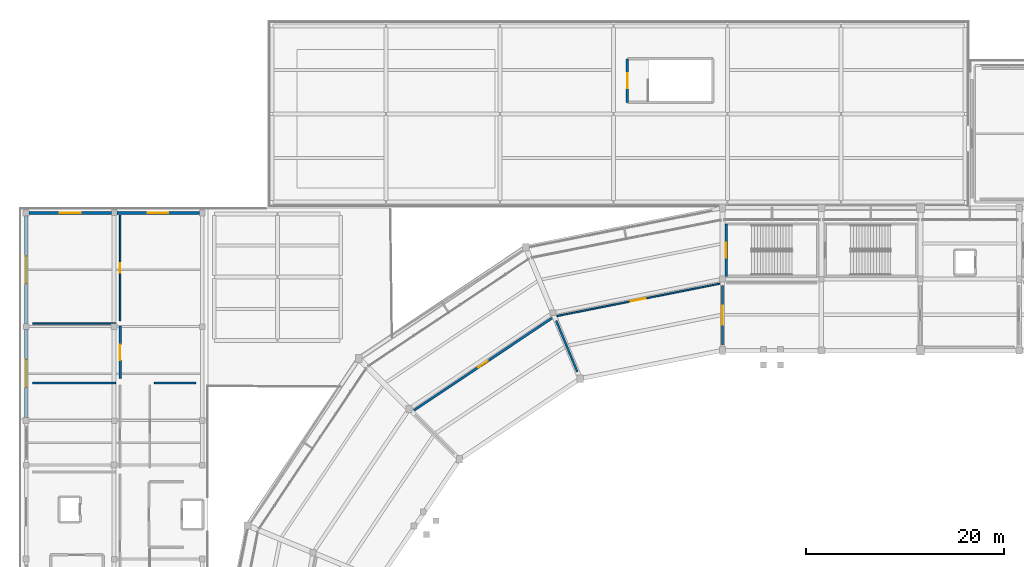
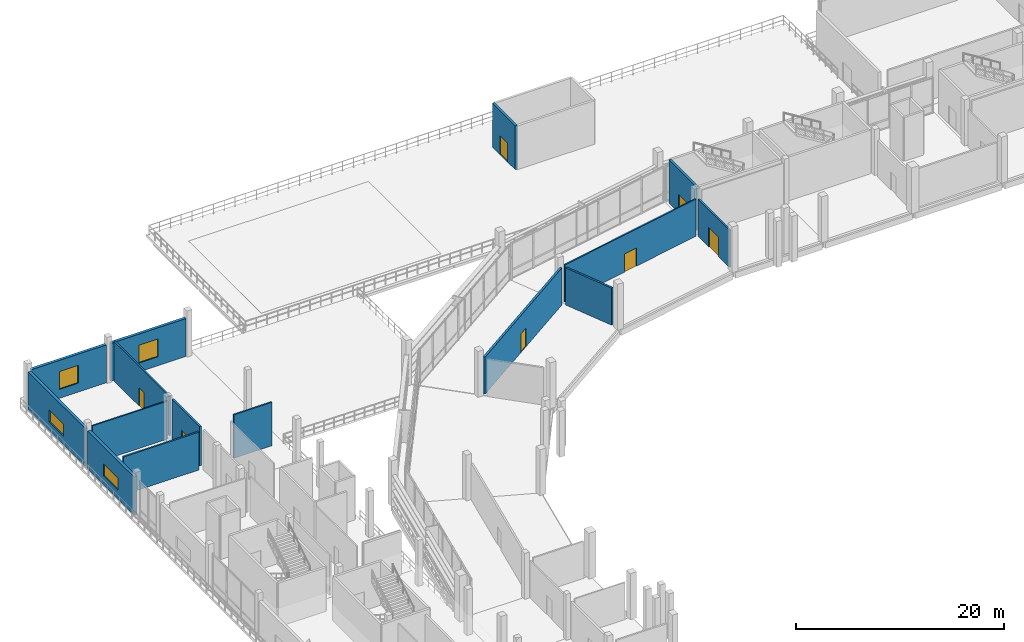
# One storey, part 78 of 111: 15 walls, 7 doors, 4 windows, 11 openings.
"""IFC4 building model written with IfcOpenShell, lengths in metres."""

from ifc_helpers import new_model, si_unit, direction, frame, frame_2d, origin, place, context, subcontext, project, spatial, rectangle, extrude, material, layer, layer_set, type_object, element, fill, save


model = new_model("IFC4")

# Units and contexts
model_context = context("Model", 3, precision=1e-05, world=origin(), true_north=direction((0.0, 1.0)))
body_context = subcontext(model_context, "Body", "Model", "MODEL_VIEW")
ifc_project = project(units=[si_unit("LENGTHUNIT", "METRE"), si_unit("AREAUNIT", "SQUARE_METRE"), si_unit("VOLUMEUNIT", "CUBIC_METRE"), si_unit("PLANEANGLEUNIT", "RADIAN"), si_unit("MASSUNIT", "GRAM", prefix="KILO")], contexts=[model_context])

# Site, building, storey
site_placement = place(None, origin())
site = spatial("IfcSite", under=ifc_project, at=site_placement, CompositionType="ELEMENT")
building_placement = place(site_placement, origin())
building = spatial("IfcBuilding", under=site, at=building_placement, Name="Candeia Ridge Stadium", CompositionType="ELEMENT")
storey_placement = place(building_placement, frame((0.0, 0.0, 16.199951171875)))
storey = spatial("IfcBuildingStorey", under=building, at=storey_placement, Name="L03", CompositionType="ELEMENT", Elevation=16.199951171875)

# Wall
ifc_material_1 = material(Name="Concrete Masonry Blockwork C25/30", Category="masonry")
ifc_layer_1 = layer(ifc_material_1, 0.14990234375, Name="Concrete Masonry Blockwork C25/30", Category="masonry")
ifc_layer_set_1 = layer_set([ifc_layer_1], Name="Concrete Masonry Blockwork C25/30")
wall_type_1 = type_object("IfcWallType", Name="Concourse Kiosk Partition 150", PredefinedType="PARTITIONING", material=ifc_layer_set_1)
wall_1_placement = place(storey_placement, frame((1.25, 135.300048828125, 0.0), z_axis=(0.0, 0.0, 1.0), x_axis=(1.0, 0.0, 0.0)))
element("IfcWall", 1, at=wall_1_placement, inside=storey, type_object=wall_type_1, Name="Demising partition PT-L03-0531", PredefinedType="PARTITIONING", context=body_context, shape_type="SweptSolid", body=[
    extrude(rectangle(XDim=8.39990234375, YDim=0.14990234375, at=frame_2d((4.199951171875, 0.0))), origin(), (0.0, 0.0, 1.0), 4.465087890625),
])

# Wall, opening, door
wall_2_placement = place(storey_placement, frame((54.254150390625, 136.069091796875, 0.0), z_axis=(0.0, 0.0, 1.0), x_axis=(0.980786027867, 0.195086564225, 0.0)))
wall_2 = element("IfcWall", 2, at=wall_2_placement, inside=storey, type_object=wall_type_1, Name="Interior partition PT-L03-0575", PredefinedType="PARTITIONING", context=body_context, shape_type="SweptSolid", body=[
    extrude(rectangle(XDim=16.783203125, YDim=0.14990234375, at=frame_2d((8.3916015625, 0.0))), origin(), (0.0, 0.0, 1.0), 4.375),
])
opening_1_placement = place(wall_2_placement, frame((7.61669921875, 0.0, 0.0)))
opening_1 = element("IfcOpeningElement", 3, at=opening_1_placement, cuts=wall_2, Name="Opening ID14", PredefinedType="OPENING", context=body_context, shape_type="SweptSolid", body=[
    extrude(rectangle(XDim=1.550048828125, YDim=2.14990234375, at=frame_2d((0.77490234375, 1.074951171875))), frame((0.0, 0.0849609375, 0.0), z_axis=(0.0, -1.0, 0.0), x_axis=(1.0, 0.0, 0.0)), (0.0, 0.0, 1.0), 0.169921875),
])
ifc_material_2 = material(Name="Brushed Stainless Steel", Category="steel")
door_type_1 = type_object("IfcDoorType", Name="Catering Kitchen Double Door 1550x2150", OperationType="NOTDEFINED", PredefinedType="DOOR", material=ifc_material_2)
door_1_placement = place(opening_1_placement, origin())
door_1 = element("IfcDoor", 4, at=door_1_placement, inside=storey, type_object=door_type_1, Name="Interior room door D-L03-0296", OperationType="DOUBLE_DOOR_SINGLE_SWING", OverallHeight=2.14990234375, OverallWidth=1.550048828125, PredefinedType="DOOR", context=body_context, shape_type="SweptSolid", body=[
    extrude(rectangle(XDim=1.550048828125, YDim=2.14990234375, at=frame_2d((0.77490234375, 1.074951171875))), frame((0.0, 0.02490234375, 0.0), z_axis=(0.0, -1.0, 0.0), x_axis=(1.0, 0.0, 0.0)), (0.0, 0.0, 1.0), 0.050048828125),
])
fill(opening_1, door_1)

ifc_material_3 = material(Name="Concrete C40/50", Category="concrete")
ifc_layer_2 = layer(ifc_material_3, 0.25, Name="Concrete C40/50", Category="concrete")
ifc_layer_set_2 = layer_set([ifc_layer_2], Name="Concrete C40/50")
wall_type_2 = type_object("IfcWallType", Name="Core Shear Wall Concrete 250", PredefinedType="SHEAR", material=ifc_layer_set_2)
wall_3_placement = place(storey_placement, frame((71.37548828125, 145.37451171875, 0.0), z_axis=(0.0, 0.0, 1.0), x_axis=(0.0, -1.0, 0.0)))
wall_3 = element("IfcWall", 5, at=wall_3_placement, inside=storey, type_object=wall_type_2, Name="Core C01 near shear wall L03", PredefinedType="SHEAR", context=body_context, shape_type="SweptSolid", body=[
    extrude(rectangle(XDim=5.299072265625, YDim=0.25, at=frame_2d((2.6494140625, 0.0))), origin(), (0.0, 0.0, 1.0), 5.14013671875),
])
opening_2_placement = place(wall_3_placement, frame((1.899658203125, 0.0, 0.0)))
opening_2 = element("IfcOpeningElement", 6, at=opening_2_placement, cuts=wall_3, Name="Opening FD01", PredefinedType="OPENING", context=body_context, shape_type="SweptSolid", body=[
    extrude(rectangle(XDim=1.5, YDim=2.199951171875, at=frame_2d((0.75, 1.10009765625))), frame((0.0, 0.135009765625, 0.0), z_axis=(0.0, -1.0, 0.0), x_axis=(1.0, 0.0, 0.0)), (0.0, 0.0, 1.0), 0.27001953125),
])
ifc_material_4 = material(Name="Galvanized Fire-Rated Steel", Category="steel")
door_type_2 = type_object("IfcDoorType", Name="Exit Stair Core Fire Door 1500x2200", OperationType="NOTDEFINED", PredefinedType="DOOR", material=ifc_material_4)
door_2_placement = place(opening_2_placement, origin())
door_2 = element("IfcDoor", 7, at=door_2_placement, inside=storey, type_object=door_type_2, Name="Exit stair fire door SD-ST01-L03", OperationType="DOUBLE_DOOR_SINGLE_SWING", OverallHeight=2.199951171875, OverallWidth=1.5, PredefinedType="DOOR", context=body_context, shape_type="SweptSolid", body=[
    extrude(rectangle(XDim=1.5, YDim=2.199951171875, at=frame_2d((0.75, 1.10009765625))), frame((0.0, 0.02490234375, 0.0), z_axis=(0.0, -1.0, 0.0), x_axis=(1.0, 0.0, 0.0)), (0.0, 0.0, 1.0), 0.050048828125),
])
fill(opening_2, door_2)

wall_4_placement = place(storey_placement, frame((61.37548828125, 162.07470703125, 0.0), z_axis=(0.0, 0.0, 1.0), x_axis=(0.0, -1.0, 0.0)))
wall_4 = element("IfcWall", 8, at=wall_4_placement, inside=storey, type_object=wall_type_2, Name="Core C15 near shear wall L03", PredefinedType="SHEAR", context=body_context, shape_type="SweptSolid", body=[
    extrude(rectangle(XDim=4.3994140625, YDim=0.25, at=frame_2d((2.19970703125, 0.0))), origin(), (0.0, 0.0, 1.0), 5.14013671875),
])
opening_3_placement = place(wall_4_placement, frame((1.44970703125, 0.0, 0.0)))
opening_3 = element("IfcOpeningElement", 9, at=opening_3_placement, cuts=wall_4, Name="Opening FD01", PredefinedType="OPENING", context=body_context, shape_type="SweptSolid", body=[
    extrude(rectangle(XDim=1.5, YDim=2.199951171875, at=frame_2d((0.75, 1.10009765625))), frame((0.0, 0.135009765625, 0.0), z_axis=(0.0, -1.0, 0.0), x_axis=(1.0, 0.0, 0.0)), (0.0, 0.0, 1.0), 0.27001953125),
])
door_3_placement = place(opening_3_placement, origin())
door_3 = element("IfcDoor", 10, at=door_3_placement, inside=storey, type_object=door_type_2, Name="Exit stair fire door SD-ST15-L03", OperationType="DOUBLE_DOOR_SINGLE_SWING", OverallHeight=2.199951171875, OverallWidth=1.5, PredefinedType="DOOR", context=body_context, shape_type="SweptSolid", body=[
    extrude(rectangle(XDim=1.5, YDim=2.199951171875, at=frame_2d((0.75, 1.10009765625))), frame((0.0, 0.02490234375, 0.0), z_axis=(0.0, -1.0, 0.0), x_axis=(1.0, 0.0, 0.0)), (0.0, 0.0, 1.0), 0.050048828125),
])
fill(opening_3, door_3)

ifc_material_5 = material(Name="Moisture-Resistant Masonry & Tile", Category="masonry")
ifc_layer_3 = layer(ifc_material_5, 0.22998046875, Name="Moisture-Resistant Masonry & Tile", Category="masonry")
ifc_layer_set_3 = layer_set([ifc_layer_3], Name="Moisture-Resistant Masonry & Tile")
wall_type_3 = type_object("IfcWallType", Name="Dressing Suite Wet-Wall Chase 230", PredefinedType="PLUMBINGWALL", material=ifc_layer_set_3)
wall_5_placement = place(storey_placement, frame((10.10009765625, 135.050048828125, 0.0), z_axis=(0.0, 0.0, 1.0), x_axis=(0.0, -1.0, 0.0)))
wall_5 = element("IfcWall", 11, at=wall_5_placement, inside=storey, type_object=wall_type_3, Name="Interior partition PT-L03-0530", PredefinedType="PLUMBINGWALL", context=body_context, shape_type="SweptSolid", body=[
    extrude(rectangle(XDim=5.300048828125, YDim=0.22998046875, at=frame_2d((2.64990234375, 0.0))), origin(), (0.0, 0.0, 1.0), 4.657958984375),
])
opening_4_placement = place(wall_5_placement, frame((1.875, 0.0, 0.0)))
opening_4 = element("IfcOpeningElement", 12, at=opening_4_placement, cuts=wall_5, Name="Opening ID14", PredefinedType="OPENING", context=body_context, shape_type="SweptSolid", body=[
    extrude(rectangle(XDim=1.550048828125, YDim=2.14990234375, at=frame_2d((0.77490234375, 1.074951171875))), frame((0.0, 0.125, 0.0), z_axis=(0.0, -1.0, 0.0), x_axis=(1.0, 0.0, 0.0)), (0.0, 0.0, 1.0), 0.25),
])
door_4_placement = place(opening_4_placement, origin())
door_4 = element("IfcDoor", 13, at=door_4_placement, inside=storey, type_object=door_type_1, Name="Interior room door D-L03-0273", OperationType="DOUBLE_DOOR_SINGLE_SWING", OverallHeight=2.14990234375, OverallWidth=1.550048828125, PredefinedType="DOOR", context=body_context, shape_type="SweptSolid", body=[
    extrude(rectangle(XDim=1.550048828125, YDim=2.14990234375, at=frame_2d((0.77490234375, 1.074951171875))), frame((0.0, 0.02490234375, 0.0), z_axis=(0.0, -1.0, 0.0), x_axis=(1.0, 0.0, 0.0)), (0.0, 0.0, 1.0), 0.050048828125),
])
fill(opening_4, door_4)

wall_6_placement = place(storey_placement, frame((39.8125, 126.534423828125, 0.0), z_axis=(0.0, 0.0, 1.0), x_axis=(0.831467963177, 0.555572701103, 0.0)))
wall_6 = element("IfcWall", 14, at=wall_6_placement, inside=storey, type_object=wall_type_3, Name="Interior partition PT-L03-0577", PredefinedType="PLUMBINGWALL", context=body_context, shape_type="SweptSolid", body=[
    extrude(rectangle(XDim=16.782958984375, YDim=0.22998046875, at=frame_2d((8.3916015625, 0.0))), origin(), (0.0, 0.0, 1.0), 4.364990234375),
])
opening_5_placement = place(wall_6_placement, frame((7.83154296875, 0.0, 0.0)))
opening_5 = element("IfcOpeningElement", 15, at=opening_5_placement, cuts=wall_6, Name="Opening ID18", PredefinedType="OPENING", context=body_context, shape_type="SweptSolid", body=[
    extrude(rectangle(XDim=1.1201171875, YDim=2.199951171875, at=frame_2d((0.56005859375, 1.10009765625))), frame((0.0, 0.125, 0.0), z_axis=(0.0, -1.0, 0.0), x_axis=(1.0, 0.0, 0.0)), (0.0, 0.0, 1.0), 0.25),
])
door_type_3 = type_object("IfcDoorType", Name="Control Room Security Door 1120x2200", OperationType="NOTDEFINED", PredefinedType="DOOR", material=ifc_material_4)
door_5_placement = place(opening_5_placement, origin())
door_5 = element("IfcDoor", 16, at=door_5_placement, inside=storey, type_object=door_type_3, Name="Interior room door D-L03-0297", OperationType="SINGLE_SWING_LEFT", OverallHeight=2.199951171875, OverallWidth=1.1201171875, PredefinedType="DOOR", context=body_context, shape_type="SweptSolid", body=[
    extrude(rectangle(XDim=1.1201171875, YDim=2.199951171875, at=frame_2d((0.56005859375, 1.10009765625))), frame((0.0, 0.02490234375, 0.0), z_axis=(0.0, -1.0, 0.0), x_axis=(1.0, 0.0, 0.0)), (0.0, 0.0, 1.0), 0.050048828125),
])
fill(opening_5, door_5)

# Wall, opening, window
ifc_material_6 = material(Name="Concrete C35/45", Category="concrete")
ifc_layer_4 = layer(ifc_material_6, 0.320068359375, Name="Concrete C35/45", Category="concrete")
ifc_layer_set_4 = layer_set([ifc_layer_4], Name="Concrete C35/45")
wall_type_4 = type_object("IfcWallType", Name="Exterior Cedar-Clad Insulated Wall 320", PredefinedType="SOLIDWALL", material=ifc_layer_set_4)
wall_7_placement = place(storey_placement, frame((0.60009765625, 125.7880859375, 0.0), z_axis=(0.0, 0.0, 1.0), x_axis=(0.0, 1.0, 0.0)))
wall_7 = element("IfcWall", 17, at=wall_7_placement, inside=storey, type_object=wall_type_4, Name="Exterior facade wall EW-L03-0093", PredefinedType="SOLIDWALL", context=body_context, shape_type="SweptSolid", body=[
    extrude(rectangle(XDim=8.948974609375, YDim=0.320068359375, at=frame_2d((4.474609375, 0.0))), origin(), (0.0, 0.0, 1.0), 4.47509765625),
])
opening_6_placement = place(wall_7_placement, frame((3.074462890625, 0.0, 1.050048828125)))
opening_6 = element("IfcOpeningElement", 18, at=opening_6_placement, cuts=wall_7, Name="Opening W06", PredefinedType="OPENING", context=body_context, shape_type="SweptSolid", body=[
    extrude(rectangle(XDim=2.800048828125, YDim=1.39990234375, at=frame_2d((1.39990234375, 0.699951171875))), frame((0.0, 0.169921875, 0.0), z_axis=(0.0, -1.0, 0.0), x_axis=(1.0, 0.0, 0.0)), (0.0, 0.0, 1.0), 0.340087890625),
])
ifc_material_7 = material(Name="Tempered Solar-Control Double Glazing", Category="glass")
window_type_1 = type_object("IfcWindowType", Name="Museum Clerestory Window 2800x1400", PartitioningType="SINGLE_PANEL", PredefinedType="WINDOW", material=ifc_material_7)
window_1_placement = place(opening_6_placement, origin())
window_1 = element("IfcWindow", 19, at=window_1_placement, inside=storey, type_object=window_type_1, Name="Exterior window WIN-L03-046", OverallHeight=1.39990234375, OverallWidth=2.800048828125, PartitioningType="SINGLE_PANEL", PredefinedType="WINDOW", context=body_context, shape_type="SweptSolid", body=[
    extrude(rectangle(XDim=2.800048828125, YDim=1.39990234375, at=frame_2d((1.39990234375, 0.699951171875))), frame((0.0, 0.030029296875, 0.0), z_axis=(0.0, -1.0, 0.0), x_axis=(1.0, 0.0, 0.0)), (0.0, 0.0, 1.0), 0.06005859375),
])
fill(opening_6, window_1)

wall_8_placement = place(storey_placement, frame((0.60009765625, 135.262939453125, 0.0), z_axis=(0.0, 0.0, 1.0), x_axis=(0.0, 1.0, 0.0)))
wall_8 = element("IfcWall", 20, at=wall_8_placement, inside=storey, type_object=wall_type_4, Name="Exterior facade wall EW-L03-0094", PredefinedType="SOLIDWALL", context=body_context, shape_type="SweptSolid", body=[
    extrude(rectangle(XDim=10.948974609375, YDim=0.320068359375, at=frame_2d((5.474609375, 0.0))), origin(), (0.0, 0.0, 1.0), 4.465087890625),
])
opening_7_placement = place(wall_8_placement, frame((4.074462890625, 0.0, 1.050048828125)))
opening_7 = element("IfcOpeningElement", 21, at=opening_7_placement, cuts=wall_8, Name="Opening W06", PredefinedType="OPENING", context=body_context, shape_type="SweptSolid", body=[
    extrude(rectangle(XDim=2.800048828125, YDim=1.39990234375, at=frame_2d((1.39990234375, 0.699951171875))), frame((0.0, 0.169921875, 0.0), z_axis=(0.0, -1.0, 0.0), x_axis=(1.0, 0.0, 0.0)), (0.0, 0.0, 1.0), 0.340087890625),
])
window_2_placement = place(opening_7_placement, origin())
window_2 = element("IfcWindow", 22, at=window_2_placement, inside=storey, type_object=window_type_1, Name="Exterior window WIN-L03-047", OverallHeight=1.39990234375, OverallWidth=2.800048828125, PartitioningType="SINGLE_PANEL", PredefinedType="WINDOW", context=body_context, shape_type="SweptSolid", body=[
    extrude(rectangle(XDim=2.800048828125, YDim=1.39990234375, at=frame_2d((1.39990234375, 0.699951171875))), frame((0.0, 0.030029296875, 0.0), z_axis=(0.0, -1.0, 0.0), x_axis=(1.0, 0.0, 0.0)), (0.0, 0.0, 1.0), 0.06005859375),
])
fill(opening_7, window_2)

ifc_layer_5 = layer(ifc_material_6, 0.300048828125, Name="Concrete C35/45", Category="concrete")
ifc_layer_set_5 = layer_set([ifc_layer_5], Name="Concrete C35/45")
wall_type_5 = type_object("IfcWallType", Name="Exterior Pavilion Rainscreen Wall 300", PredefinedType="SOLIDWALL", material=ifc_layer_set_5)
wall_9_placement = place(storey_placement, frame((0.887939453125, 146.5, 0.0), z_axis=(0.0, 0.0, 1.0), x_axis=(1.0, 0.0, 0.0)))
wall_9 = element("IfcWall", 23, at=wall_9_placement, inside=storey, type_object=wall_type_5, Name="Exterior facade wall EW-L03-0097", PredefinedType="SOLIDWALL", context=body_context, shape_type="SweptSolid", body=[
    extrude(rectangle(XDim=8.34912109375, YDim=0.300048828125, at=frame_2d((4.174560546875, 0.0))), origin(), (0.0, 0.0, 1.0), 4.465087890625),
])
opening_8_placement = place(wall_9_placement, frame((3.12451171875, 0.0, 1.050048828125)))
opening_8 = element("IfcOpeningElement", 24, at=opening_8_placement, cuts=wall_9, Name="Opening W04", PredefinedType="OPENING", context=body_context, shape_type="SweptSolid", body=[
    extrude(rectangle(XDim=2.10009765625, YDim=2.10009765625, at=frame_2d((1.050048828125, 1.050048828125))), frame((0.0, 0.159912109375, 0.0), z_axis=(0.0, -1.0, 0.0), x_axis=(1.0, 0.0, 0.0)), (0.0, 0.0, 1.0), 0.320068359375),
])
window_type_2 = type_object("IfcWindowType", Name="Hospitality Ribbon Window 2100x2100", PartitioningType="SINGLE_PANEL", PredefinedType="WINDOW", material=ifc_material_7)
window_3_placement = place(opening_8_placement, origin())
window_3 = element("IfcWindow", 25, at=window_3_placement, inside=storey, type_object=window_type_2, Name="Exterior window WIN-L03-050", OverallHeight=2.10009765625, OverallWidth=2.10009765625, PartitioningType="SINGLE_PANEL", PredefinedType="WINDOW", context=body_context, shape_type="SweptSolid", body=[
    extrude(rectangle(XDim=2.10009765625, YDim=2.10009765625, at=frame_2d((1.050048828125, 1.050048828125))), frame((0.0, 0.030029296875, 0.0), z_axis=(0.0, -1.0, 0.0), x_axis=(1.0, 0.0, 0.0)), (0.0, 0.0, 1.0), 0.06005859375),
])
fill(opening_8, window_3)

wall_10_placement = place(storey_placement, frame((9.762939453125, 146.5, 0.0), z_axis=(0.0, 0.0, 1.0), x_axis=(1.0, 0.0, 0.0)))
wall_10 = element("IfcWall", 26, at=wall_10_placement, inside=storey, type_object=wall_type_5, Name="Exterior facade wall EW-L03-0098", PredefinedType="SOLIDWALL", context=body_context, shape_type="SweptSolid", body=[
    extrude(rectangle(XDim=8.34912109375, YDim=0.300048828125, at=frame_2d((4.174560546875, 0.0))), origin(), (0.0, 0.0, 1.0), 4.465087890625),
])
opening_9_placement = place(wall_10_placement, frame((3.12451171875, 0.0, 1.050048828125)))
opening_9 = element("IfcOpeningElement", 27, at=opening_9_placement, cuts=wall_10, Name="Opening W04", PredefinedType="OPENING", context=body_context, shape_type="SweptSolid", body=[
    extrude(rectangle(XDim=2.10009765625, YDim=2.10009765625, at=frame_2d((1.050048828125, 1.050048828125))), frame((0.0, 0.159912109375, 0.0), z_axis=(0.0, -1.0, 0.0), x_axis=(1.0, 0.0, 0.0)), (0.0, 0.0, 1.0), 0.320068359375),
])
window_4_placement = place(opening_9_placement, origin())
window_4 = element("IfcWindow", 28, at=window_4_placement, inside=storey, type_object=window_type_2, Name="Exterior window WIN-L03-051", OverallHeight=2.10009765625, OverallWidth=2.10009765625, PartitioningType="SINGLE_PANEL", PredefinedType="WINDOW", context=body_context, shape_type="SweptSolid", body=[
    extrude(rectangle(XDim=2.10009765625, YDim=2.10009765625, at=frame_2d((1.050048828125, 1.050048828125))), frame((0.0, 0.030029296875, 0.0), z_axis=(0.0, -1.0, 0.0), x_axis=(1.0, 0.0, 0.0)), (0.0, 0.0, 1.0), 0.06005859375),
])
fill(opening_9, window_4)

# Walls
ifc_material_8 = material(Name="Gypsum Acoustic Twin-Stud Assembly", Category="gypsum")
ifc_layer_6 = layer(ifc_material_8, 0.1650390625, Name="Gypsum Acoustic Twin-Stud Assembly", Category="gypsum")
ifc_layer_set_6 = layer_set([ifc_layer_6], Name="Gypsum Acoustic Twin-Stud Assembly")
wall_type_6 = type_object("IfcWallType", Name="Hospitality Suite Acoustic Wall 165", PredefinedType="PARTITIONING", material=ifc_layer_set_6)
wall_11_placement = place(storey_placement, frame((13.550048828125, 129.300048828125, 0.0), z_axis=(0.0, 0.0, 1.0), x_axis=(1.0, 0.0, 0.0)))
element("IfcWall", 29, at=wall_11_placement, inside=storey, type_object=wall_type_6, Name="Demising partition PT-L03-0529", PredefinedType="PARTITIONING", context=body_context, shape_type="SweptSolid", body=[
    extrude(rectangle(XDim=4.199951171875, YDim=0.1650390625, at=frame_2d((2.10009765625, 0.0))), origin(), (0.0, 0.0, 1.0), 5.1201171875),
])
ifc_material_9 = material(Name="Gypsum Acoustic Triple-Board Wall", Category="gypsum")
ifc_layer_7 = layer(ifc_material_9, 0.18505859375, Name="Gypsum Acoustic Triple-Board Wall", Category="gypsum")
ifc_layer_set_7 = layer_set([ifc_layer_7], Name="Gypsum Acoustic Triple-Board Wall")
wall_type_7 = type_object("IfcWallType", Name="Media Booth Studio Divider 185", PredefinedType="PARTITIONING", material=ifc_layer_set_7)
wall_12_placement = place(storey_placement, frame((1.25, 129.300048828125, 0.0), z_axis=(0.0, 0.0, 1.0), x_axis=(1.0, 0.0, 0.0)))
element("IfcWall", 30, at=wall_12_placement, inside=storey, type_object=wall_type_7, Name="Demising partition PT-L03-0527", PredefinedType="PARTITIONING", context=body_context, shape_type="SweptSolid", body=[
    extrude(rectangle(XDim=8.39990234375, YDim=0.18505859375, at=frame_2d((4.199951171875, 0.0))), origin(), (0.0, 0.0, 1.0), 4.465087890625),
])

# Wall, opening, door
wall_13_placement = place(storey_placement, frame((71.0, 133.14990234375, 0.0), z_axis=(0.0, 0.0, 1.0), x_axis=(0.0, 1.0, 0.0)))
wall_13 = element("IfcWall", 31, at=wall_13_placement, inside=storey, type_object=wall_type_7, Name="Interior partition PT-L03-0573", PredefinedType="PARTITIONING", context=body_context, shape_type="SweptSolid", body=[
    extrude(rectangle(XDim=6.0, YDim=0.18505859375, at=frame_2d((3.0, 0.0))), origin(), (0.0, 0.0, 1.0), 4.375),
])
opening_10_placement = place(wall_13_placement, frame((2.050048828125, 0.0, 0.0)))
opening_10 = element("IfcOpeningElement", 32, at=opening_10_placement, cuts=wall_13, Name="Opening ID10", PredefinedType="OPENING", context=body_context, shape_type="SweptSolid", body=[
    extrude(rectangle(XDim=1.89990234375, YDim=2.300048828125, at=frame_2d((0.949951171875, 1.14990234375))), frame((0.0, 0.1025390625, 0.0), z_axis=(0.0, -1.0, 0.0), x_axis=(1.0, 0.0, 0.0)), (0.0, 0.0, 1.0), 0.205078125),
])
ifc_material_10 = material(Name="Timber Fire-Rated Acoustic", Category="wood")
door_type_4 = type_object("IfcDoorType", Name="Museum Exhibition Double Door 1900x2300", OperationType="NOTDEFINED", PredefinedType="DOOR", material=ifc_material_10)
door_6_placement = place(opening_10_placement, origin())
door_6 = element("IfcDoor", 33, at=door_6_placement, inside=storey, type_object=door_type_4, Name="Interior room door D-L03-0295", OperationType="DOUBLE_DOOR_SINGLE_SWING", OverallHeight=2.300048828125, OverallWidth=1.89990234375, PredefinedType="DOOR", context=body_context, shape_type="SweptSolid", body=[
    extrude(rectangle(XDim=1.89990234375, YDim=2.300048828125, at=frame_2d((0.949951171875, 1.14990234375))), frame((0.0, 0.02490234375, 0.0), z_axis=(0.0, -1.0, 0.0), x_axis=(1.0, 0.0, 0.0)), (0.0, 0.0, 1.0), 0.050048828125),
])
fill(opening_10, door_6)

# Wall
ifc_layer_8 = layer(ifc_material_5, 0.2099609375, Name="Moisture-Resistant Masonry & Tile", Category="masonry")
ifc_layer_set_8 = layer_set([ifc_layer_8], Name="Moisture-Resistant Masonry & Tile")
wall_type_8 = type_object("IfcWallType", Name="Sanitary Wet-Wall Plumbing Chase 210", PredefinedType="PLUMBINGWALL", material=ifc_layer_set_8)
wall_14_placement = place(storey_placement, frame((56.32421875, 130.4306640625, 0.0), z_axis=(0.0, 0.0, 1.0), x_axis=(-0.382682918336, 0.923879745429, 0.0)))
element("IfcWall", 34, at=wall_14_placement, inside=storey, type_object=wall_type_8, Name="Demising partition PT-L03-0576", PredefinedType="PLUMBINGWALL", context=body_context, shape_type="SweptSolid", body=[
    extrude(rectangle(XDim=5.60009765625, YDim=0.2099609375, at=frame_2d((2.800048828125, 0.0))), origin(), (0.0, 0.0, 1.0), 4.364990234375),
])

# Wall, opening, door
ifc_layer_9 = layer(ifc_material_8, 0.169921875, Name="Gypsum Acoustic Twin-Stud Assembly", Category="gypsum")
ifc_layer_set_9 = layer_set([ifc_layer_9], Name="Gypsum Acoustic Twin-Stud Assembly")
wall_type_9 = type_object("IfcWallType", Name="Skybox Demising Acoustic Wall 170", PredefinedType="PARTITIONING", material=ifc_layer_set_9)
wall_15_placement = place(storey_placement, frame((10.10009765625, 146.25, 0.0), z_axis=(0.0, 0.0, 1.0), x_axis=(0.0, -1.0, 0.0)))
wall_15 = element("IfcWall", 35, at=wall_15_placement, inside=storey, type_object=wall_type_9, Name="Interior partition PT-L03-0532", PredefinedType="PARTITIONING", context=body_context, shape_type="SweptSolid", body=[
    extrude(rectangle(XDim=10.659912109375, YDim=0.169921875, at=frame_2d((5.330078125, 0.0))), origin(), (0.0, 0.0, 1.0), 4.657958984375),
])
opening_11_placement = place(wall_15_placement, frame((4.85009765625, 0.0, 0.0)))
opening_11 = element("IfcOpeningElement", 36, at=opening_11_placement, cuts=wall_15, Name="Opening ID17", PredefinedType="OPENING", context=body_context, shape_type="SweptSolid", body=[
    extrude(rectangle(XDim=0.9599609375, YDim=2.14990234375, at=frame_2d((0.47998046875, 1.074951171875))), frame((0.0, 0.094970703125, 0.0), z_axis=(0.0, -1.0, 0.0), x_axis=(1.0, 0.0, 0.0)), (0.0, 0.0, 1.0), 0.18994140625),
])
ifc_material_11 = material(Name="Solid Core Cedar Veneer", Category="wood")
door_type_5 = type_object("IfcDoorType", Name="Ticketing Office Single Door 960x2150", OperationType="NOTDEFINED", PredefinedType="DOOR", material=ifc_material_11)
door_7_placement = place(opening_11_placement, frame((0.9599609375, 0.0, 0.0), z_axis=(0.0, 0.0, 1.0), x_axis=(-1.0, 0.0, 0.0)))
door_7 = element("IfcDoor", 37, at=door_7_placement, inside=storey, type_object=door_type_5, Name="Interior room door D-L03-0274", OperationType="SINGLE_SWING_LEFT", OverallHeight=2.14990234375, OverallWidth=0.9599609375, PredefinedType="DOOR", context=body_context, shape_type="SweptSolid", body=[
    extrude(rectangle(XDim=0.9599609375, YDim=2.14990234375, at=frame_2d((0.47998046875, 1.074951171875))), frame((0.0, 0.02490234375, 0.0), z_axis=(0.0, -1.0, 0.0), x_axis=(1.0, 0.0, 0.0)), (0.0, 0.0, 1.0), 0.050048828125),
])
fill(opening_11, door_7)

save(model, "model.ifc")
